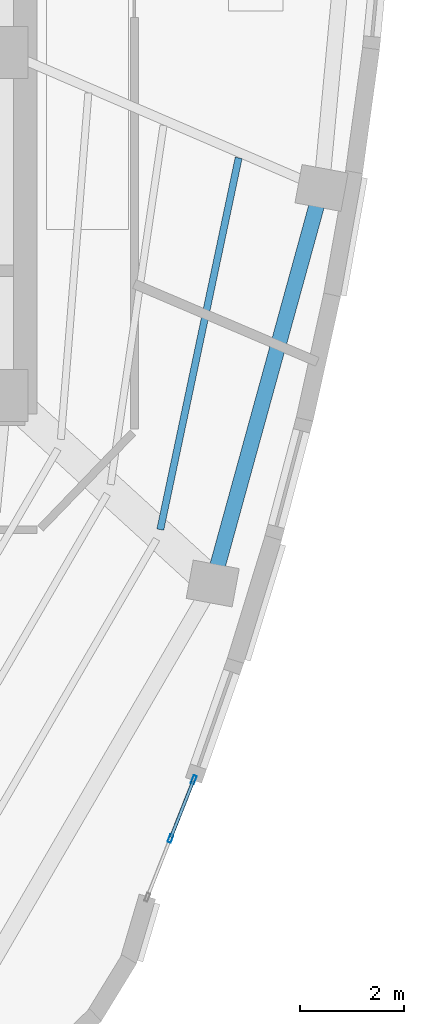
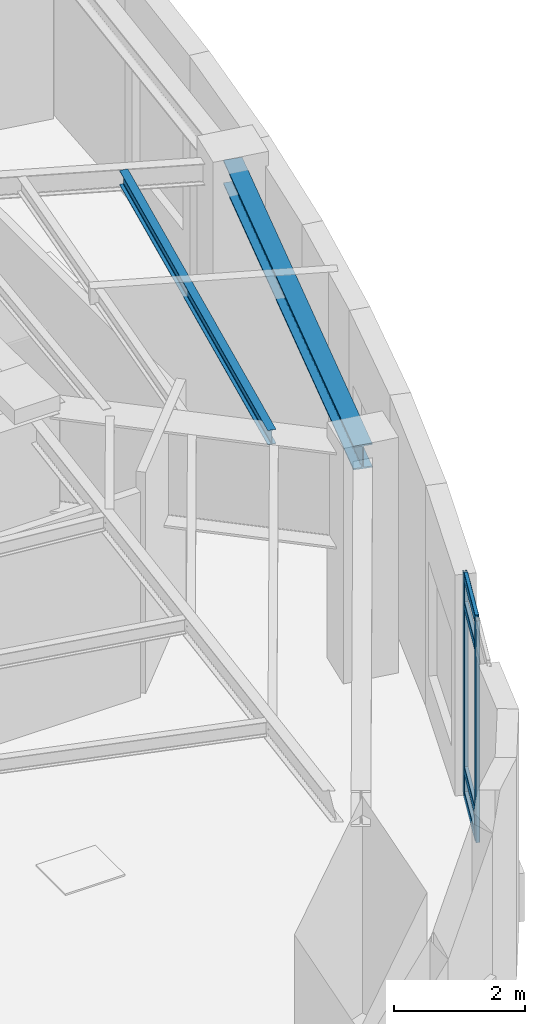
# One storey, part 6 of 14: 6 members, 2 beams, 1 element without a shape of its own.
"""IFC4 building model written with IfcOpenShell, lengths in metres."""

from ifc_helpers import new_model, si_unit, direction, frame, origin, origin_2d, place, context, subcontext, project, spatial, hollow_rectangle, i_section, extrude, material, layer, layer_set, material_profile, profile_set, type_object, element, aggregate, save


model = new_model("IFC4")

# Units and contexts
model_context = context("Model", 3, precision=1e-05, world=origin(), true_north=direction((0.0, 1.0)))
body_context = subcontext(model_context, "Body", "Model", "MODEL_VIEW")
ifc_project = project(units=[si_unit("LENGTHUNIT", "METRE"), si_unit("AREAUNIT", "SQUARE_METRE"), si_unit("VOLUMEUNIT", "CUBIC_METRE"), si_unit("PLANEANGLEUNIT", "RADIAN"), si_unit("MASSUNIT", "GRAM", prefix="KILO")], contexts=[model_context])

# Site, building, storey
site_placement = place(None, origin())
site = spatial("IfcSite", under=ifc_project, at=site_placement, CompositionType="ELEMENT")
building_placement = place(site_placement, origin())
building = spatial("IfcBuilding", under=site, at=building_placement, Name="Ndelora Gate Hotel", CompositionType="ELEMENT")
storey_placement = place(building_placement, frame((0.0, 0.0, 281.60009765625)))
storey = spatial("IfcBuildingStorey", under=building, at=storey_placement, Name="L70", CompositionType="ELEMENT", Elevation=281.60009765625)

# Beams
ifc_material_1 = material(Name="Steel S355", Category="steel")
ifc_material_profile_1 = material_profile(ifc_material_1, i_section(OverallWidth=0.135009765625, OverallDepth=0.27001953125, WebThickness=0.006591796875, FlangeThickness=0.01025390625, FilletRadius=0.014892578125, at=origin_2d()), Name="IPE 270")
ifc_profile_set_1 = profile_set([ifc_material_profile_1], Name="Steel S355")
beam_type_1 = type_object("IfcBeamType", Name="BM-JST-270", PredefinedType="JOIST", material=ifc_profile_set_1)
beam_1_placement = place(storey_placement, frame((10.94873046875, -9.17529296875, 3.98486328125), z_axis=(0.206301761085, 0.978488417598, 0.0), x_axis=(-0.978488417598, 0.206301761085, 0.0)))
element("IfcBeam", 1, at=beam_1_placement, inside=storey, type_object=beam_type_1, Name="L70 Secondary Composite Floor Joist OUT-6", PredefinedType="JOIST", context=body_context, shape_type="SweptSolid", body=[
    extrude(i_section(OverallWidth=0.135009765625, OverallDepth=0.27001953125, WebThickness=0.006591796875, FlangeThickness=0.01025390625, FilletRadius=0.014892578125, at=origin_2d()), origin(), (0.0, 0.0, 1.0), 7.3076171875),
])
ifc_material_profile_2 = material_profile(ifc_material_1, i_section(OverallWidth=0.300048828125, OverallDepth=0.449951171875, WebThickness=0.013916015625, FlangeThickness=0.02587890625, FilletRadius=0.027099609375, at=origin_2d()), Name="HEB 450")
ifc_profile_set_2 = profile_set([ifc_material_profile_2], Name="Steel S355")
beam_type_2 = type_object("IfcBeamType", Name="BM-RING-450", PredefinedType="SPANDREL", material=ifc_profile_set_2)
beam_2_placement = place(storey_placement, frame((11.956787109375, -10.212158203125, 3.89501953125), z_axis=(0.265247809385, 0.964180273401, 0.0), x_axis=(-0.964180273401, 0.265247809385, 0.0)))
element("IfcBeam", 2, at=beam_2_placement, inside=storey, type_object=beam_type_2, Name="L70 Perimeter Spandrel Girder 6", PredefinedType="SPANDREL", context=body_context, shape_type="SweptSolid", body=[
    extrude(i_section(OverallWidth=0.300048828125, OverallDepth=0.449951171875, WebThickness=0.013916015625, FlangeThickness=0.02587890625, FilletRadius=0.027099609375, at=origin_2d()), origin(), (0.0, 0.0, 1.0), 7.890869140625),
])

# Curtain wall, members
ifc_material_2 = material(Name="Bronze Anodised Unitised Aluminium and Low-E Glass", Category="aluminium")
ifc_layer = layer(ifc_material_2, 0.219970703125)
ifc_layer_set = layer_set([ifc_layer], Name="Bronze Anodised Unitised Aluminium and Low-E Glass")
curtain_wall_type = type_object("IfcCurtainWallType", Name="CW-SYS-6", PredefinedType="NOTDEFINED", material=ifc_layer_set)
curtain_wall_placement = place(storey_placement, origin())
curtain_wall = element("IfcCurtainWall", 3, at=curtain_wall_placement, inside=storey, type_object=curtain_wall_type, Name="L70 Crown Sky-Restaurant & Cocktail Bar Curtain Wall 2", PredefinedType="NOTDEFINED")
ifc_material_3 = material(Name="Bronze Anodised Aluminium 6063-T6", Category="aluminium")
ifc_material_profile_3 = material_profile(ifc_material_3, hollow_rectangle(XDim=0.06494140625, YDim=0.159912109375, WallThickness=0.00390625, InnerFilletRadius=0.00390625, OuterFilletRadius=0.008056640625, at=origin_2d()), Name="ALU 160x65x4")
ifc_profile_set_3 = profile_set([ifc_material_profile_3], Name="Bronze Anodised Aluminium 6063-T6")
member_type_1 = type_object("IfcMemberType", Name="MB-CW-MUL150", PredefinedType="MULLION", material=ifc_profile_set_3)
member_1_placement = place(storey_placement, frame((11.1455078125, -15.116943359375, -0.004150390625), z_axis=(0.0, 0.0, 1.0), x_axis=(-0.929944476416, 0.367699973869, 0.0)))
member_1 = element("IfcMember", 4, at=member_1_placement, type_object=member_type_1, Name="CW6 mullion 2", PredefinedType="MULLION", context=body_context, shape_type="SweptSolid", body=[
    extrude(hollow_rectangle(XDim=0.06494140625, YDim=0.159912109375, WallThickness=0.00390625, InnerFilletRadius=0.00390625, OuterFilletRadius=0.008056640625, at=origin_2d()), origin(), (0.0, 0.0, 1.0), 4.137939453125),
])
member_2_placement = place(storey_placement, frame((11.592529296875, -13.986328125, -0.004150390625), z_axis=(0.0, 0.0, 1.0), x_axis=(-0.929944476416, 0.367699973869, 0.0)))
member_2 = element("IfcMember", 5, at=member_2_placement, type_object=member_type_1, Name="CW6 mullion 3", PredefinedType="MULLION", context=body_context, shape_type="SweptSolid", body=[
    extrude(hollow_rectangle(XDim=0.06494140625, YDim=0.159912109375, WallThickness=0.00390625, InnerFilletRadius=0.00390625, OuterFilletRadius=0.008056640625, at=origin_2d()), origin(), (0.0, 0.0, 1.0), 4.137939453125),
])
ifc_material_profile_4 = material_profile(ifc_material_3, hollow_rectangle(XDim=0.06494140625, YDim=0.159912109375, WallThickness=0.00390625, InnerFilletRadius=0.00390625, OuterFilletRadius=0.008056640625, at=origin_2d()), Name="ALU 160x65x4")
ifc_profile_set_4 = profile_set([ifc_material_profile_4], Name="Bronze Anodised Aluminium 6063-T6")
member_type_2 = type_object("IfcMemberType", Name="MB-CW-TRN150", PredefinedType="USERDEFINED", material=ifc_profile_set_4)
member_3_placement = place(storey_placement, frame((11.1552734375, -15.09228515625, 0.032470703125), z_axis=(0.367840456756, 0.929888917223, 0.0), x_axis=(-0.929888917223, 0.367840456756, 0.0)))
member_3 = element("IfcMember", 6, at=member_3_placement, type_object=member_type_2, Name="CW6 transom 2.1", ObjectType="TRANSOM", PredefinedType="USERDEFINED", context=body_context, shape_type="SweptSolid", body=[
    extrude(hollow_rectangle(XDim=0.06494140625, YDim=0.159912109375, WallThickness=0.00390625, InnerFilletRadius=0.00390625, OuterFilletRadius=0.008056640625, at=origin_2d()), origin(), (0.0, 0.0, 1.0), 1.162841796875),
])
member_4_placement = place(storey_placement, frame((11.1552734375, -15.09228515625, 0.5), z_axis=(0.367840456756, 0.929888917223, 0.0), x_axis=(-0.929888917223, 0.367840456756, 0.0)))
member_4 = element("IfcMember", 7, at=member_4_placement, type_object=member_type_2, Name="CW6 transom 2.2", ObjectType="TRANSOM", PredefinedType="USERDEFINED", context=body_context, shape_type="SweptSolid", body=[
    extrude(hollow_rectangle(XDim=0.06494140625, YDim=0.159912109375, WallThickness=0.00390625, InnerFilletRadius=0.00390625, OuterFilletRadius=0.008056640625, at=origin_2d()), origin(), (0.0, 0.0, 1.0), 1.162841796875),
])
member_5_placement = place(storey_placement, frame((11.1552734375, -15.09228515625, 3.579833984375), z_axis=(0.367840456756, 0.929888917223, 0.0), x_axis=(-0.929888917223, 0.367840456756, 0.0)))
member_5 = element("IfcMember", 8, at=member_5_placement, type_object=member_type_2, Name="CW6 transom 2.3", ObjectType="TRANSOM", PredefinedType="USERDEFINED", context=body_context, shape_type="SweptSolid", body=[
    extrude(hollow_rectangle(XDim=0.06494140625, YDim=0.159912109375, WallThickness=0.00390625, InnerFilletRadius=0.00390625, OuterFilletRadius=0.008056640625, at=origin_2d()), origin(), (0.0, 0.0, 1.0), 1.162841796875),
])
member_6_placement = place(storey_placement, frame((11.1552734375, -15.09228515625, 4.097412109375), z_axis=(0.367840456756, 0.929888917223, 0.0), x_axis=(-0.929888917223, 0.367840456756, 0.0)))
member_6 = element("IfcMember", 9, at=member_6_placement, type_object=member_type_2, Name="CW6 transom 2.4", ObjectType="TRANSOM", PredefinedType="USERDEFINED", context=body_context, shape_type="SweptSolid", body=[
    extrude(hollow_rectangle(XDim=0.06494140625, YDim=0.159912109375, WallThickness=0.00390625, InnerFilletRadius=0.00390625, OuterFilletRadius=0.008056640625, at=origin_2d()), origin(), (0.0, 0.0, 1.0), 1.162841796875),
])
aggregate(curtain_wall, [member_1, member_2, member_3, member_4, member_5, member_6])

save(model, "model.ifc")
